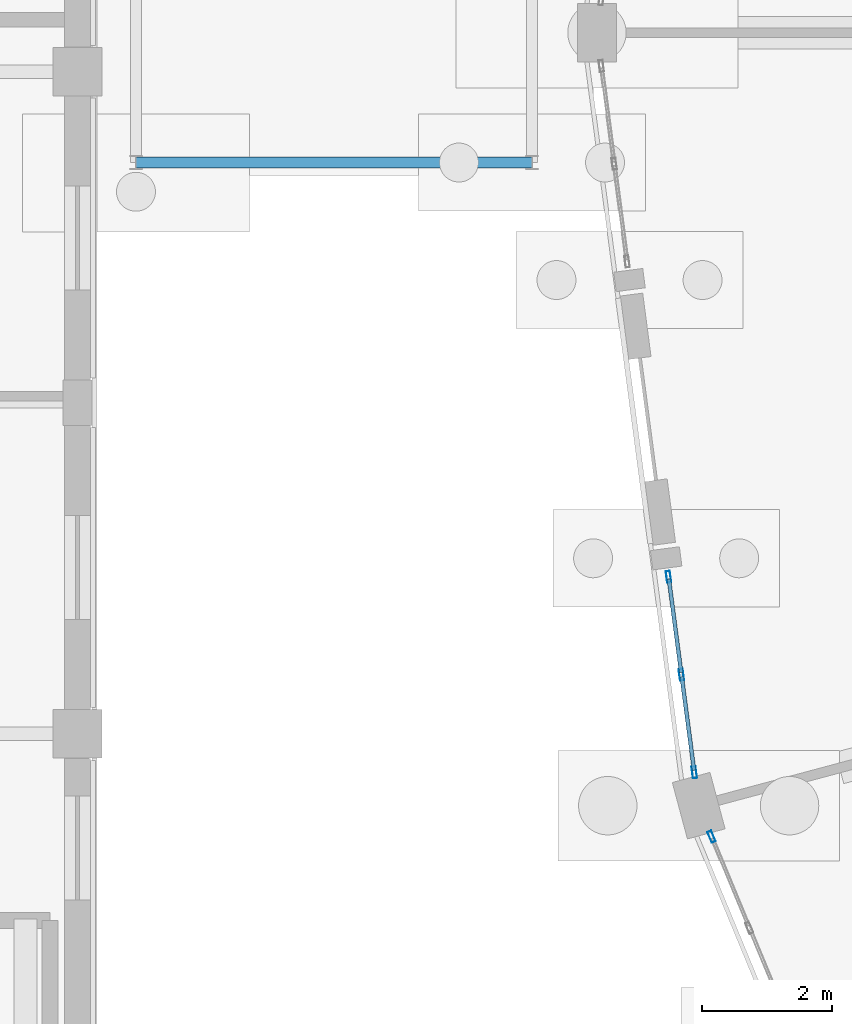
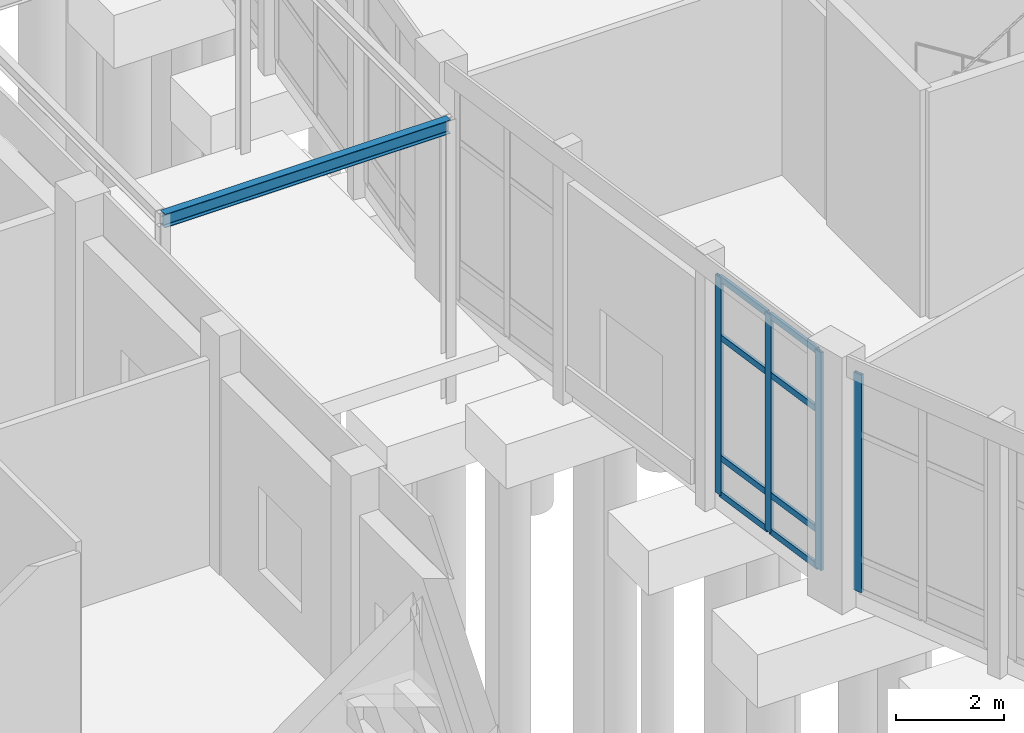
# One storey, part 45 of 137: 12 members, 1 beam, 2 elements without a shape of their own.
"""IFC4 building model written with IfcOpenShell, lengths in metres."""

from ifc_helpers import new_model, si_unit, direction, frame, origin, origin_2d, place, context, subcontext, project, spatial, hollow_rectangle, i_section, extrude, material, material_profile, profile_set, type_object, element, aggregate, save


model = new_model("IFC4")

# Units and contexts
model_context = context("Model", 3, precision=1e-05, world=origin(), true_north=direction((0.0, 1.0)))
body_context = subcontext(model_context, "Body", "Model", "MODEL_VIEW")
ifc_project = project(units=[si_unit("LENGTHUNIT", "METRE"), si_unit("AREAUNIT", "SQUARE_METRE"), si_unit("VOLUMEUNIT", "CUBIC_METRE"), si_unit("PLANEANGLEUNIT", "RADIAN"), si_unit("MASSUNIT", "GRAM", prefix="KILO")], contexts=[model_context])

# Site, building, storey
site_placement = place(None, origin())
site = spatial("IfcSite", under=ifc_project, at=site_placement, CompositionType="ELEMENT")
building_placement = place(site_placement, origin())
building = spatial("IfcBuilding", under=site, at=building_placement, Name="Vondelvale Polytechnic", CompositionType="ELEMENT")
storey_placement = place(building_placement, origin())
storey = spatial("IfcBuildingStorey", under=building, at=storey_placement, Name="L00", CompositionType="ELEMENT", Elevation=0.0)

# Beam
ifc_material_1 = material(Name="Steel 300PLUS (fy = 300 MPa)", Category="steel")
ifc_material_profile_1 = material_profile(ifc_material_1, i_section(OverallWidth=0.166015625, OverallDepth=0.306884765625, WebThickness=0.006591796875, FlangeThickness=0.01171875, FilletRadius=0.011474609375, at=origin_2d()), Name="310UB46.2")
ifc_profile_set_1 = profile_set([ifc_material_profile_1], Name="Steel 300PLUS (fy = 300 MPa)")
beam_type = type_object("IfcBeamType", Name="BM-UB310H", PredefinedType="BEAM", material=ifc_profile_set_1)
beam_placement = place(storey_placement, frame((48.89990234375, 70.0, 5.196533203125), z_axis=(1.0, 0.0, 0.0), x_axis=(0.0, 1.0, 0.0)))
element("IfcBeam", 1, at=beam_placement, inside=storey, type_object=beam_type, Name="L00 LC B-16", PredefinedType="BEAM", context=body_context, shape_type="SweptSolid", body=[
    extrude(i_section(OverallWidth=0.166015625, OverallDepth=0.306884765625, WebThickness=0.006591796875, FlangeThickness=0.01171875, FilletRadius=0.011474609375, at=origin_2d()), origin(), (0.0, 0.0, 1.0), 6.10009765625),
])

# Curtain wall, members
ifc_material_2 = material(Name="Glulam GL18 structural Tasmanian oak (fb = 42 MPa)", Category="wood")
curtain_wall_type = type_object("IfcCurtainWallType", Name="CW-RING-OUTER", PredefinedType="NOTDEFINED", material=ifc_material_2)
curtain_wall_1_placement = place(storey_placement, origin())
curtain_wall_1 = element("IfcCurtainWall", 2, at=curtain_wall_1_placement, inside=storey, type_object=curtain_wall_type, Name="L00 architectural curtain wall CW-04-258", PredefinedType="NOTDEFINED")
ifc_material_3 = material(Name="Anodised extruded aluminium 6063-T6", Category="aluminium")
ifc_material_profile_2 = material_profile(ifc_material_3, hollow_rectangle(XDim=0.06494140625, YDim=0.179931640625, WallThickness=0.00390625, at=origin_2d()), Name="CW-MUL-180x65")
ifc_profile_set_2 = profile_set([ifc_material_profile_2], Name="Anodised extruded aluminium 6063-T6")
member_type_1 = type_object("IfcMemberType", Name="CW-MUL-65x180", PredefinedType="MULLION", material=ifc_profile_set_2)
member_1_placement = place(storey_placement, frame((57.103271484375, 63.619140625, 0.0), z_axis=(0.0, 0.0, 1.0), x_axis=(0.991445190781, 0.130523690099, 0.0)))
member_1 = element("IfcMember", 3, at=member_1_placement, type_object=member_type_1, Name="CW-04-258 mullion 1", PredefinedType="MULLION", context=body_context, shape_type="SweptSolid", body=[
    extrude(hollow_rectangle(XDim=0.06494140625, YDim=0.179931640625, WallThickness=0.00390625, at=origin_2d()), origin(), (0.0, 0.0, 1.0), 4.919921875),
])
member_2_placement = place(storey_placement, frame((57.3017578125, 62.11279296875, 0.0), z_axis=(0.0, 0.0, 1.0), x_axis=(0.991445190781, 0.130523690099, 0.0)))
member_2 = element("IfcMember", 4, at=member_2_placement, type_object=member_type_1, Name="CW-04-258 mullion 2", PredefinedType="MULLION", context=body_context, shape_type="SweptSolid", body=[
    extrude(hollow_rectangle(XDim=0.06494140625, YDim=0.179931640625, WallThickness=0.00390625, at=origin_2d()), origin(), (0.0, 0.0, 1.0), 4.919921875),
])
member_3_placement = place(storey_placement, frame((57.5, 60.6064453125, 0.0), z_axis=(0.0, 0.0, 1.0), x_axis=(0.991445190781, 0.130523690099, 0.0)))
member_3 = element("IfcMember", 5, at=member_3_placement, type_object=member_type_1, Name="CW-04-258 mullion 3", PredefinedType="MULLION", context=body_context, shape_type="SweptSolid", body=[
    extrude(hollow_rectangle(XDim=0.06494140625, YDim=0.179931640625, WallThickness=0.00390625, at=origin_2d()), origin(), (0.0, 0.0, 1.0), 4.919921875),
])

# Curtain wall, member
curtain_wall_2_placement = place(storey_placement, origin())
curtain_wall_2 = element("IfcCurtainWall", 6, at=curtain_wall_2_placement, inside=storey, type_object=curtain_wall_type, Name="L00 architectural curtain wall CW-04-276", PredefinedType="NOTDEFINED")
member_4_placement = place(storey_placement, frame((57.76513671875, 59.6171875, 0.0), z_axis=(0.0, 0.0, 1.0), x_axis=(0.92388135159, 0.382679040691, 0.0)))
member_4 = element("IfcMember", 7, at=member_4_placement, type_object=member_type_1, Name="CW-04-276 mullion 1", PredefinedType="MULLION", context=body_context, shape_type="SweptSolid", body=[
    extrude(hollow_rectangle(XDim=0.06494140625, YDim=0.179931640625, WallThickness=0.00390625, at=origin_2d()), origin(), (0.0, 0.0, 1.0), 4.919921875),
])
aggregate(curtain_wall_2, [member_4])

# Member
ifc_material_profile_3 = material_profile(ifc_material_3, hollow_rectangle(XDim=0.06005859375, YDim=0.139892578125, WallThickness=0.00341796875, at=origin_2d()), Name="CW-TRN-140x60")
ifc_profile_set_3 = profile_set([ifc_material_profile_3], Name="Anodised extruded aluminium 6063-T6")
member_type_2 = type_object("IfcMemberType", Name="CW-TRN-60x140", PredefinedType="USERDEFINED", material=ifc_profile_set_3)
member_5_placement = place(storey_placement, frame((57.107666015625, 63.5869140625, 0.030029296875), z_axis=(0.130437142462, -0.991456580928, 0.0), x_axis=(0.991456580928, 0.130437142462, 0.0)))
member_5 = element("IfcMember", 8, at=member_5_placement, type_object=member_type_2, Name="CW-04-258 transom 1.1", ObjectType="TRANSOM", PredefinedType="USERDEFINED", context=body_context, shape_type="SweptSolid", body=[
    extrude(hollow_rectangle(XDim=0.06005859375, YDim=0.139892578125, WallThickness=0.00341796875, at=origin_2d()), origin(), (0.0, 0.0, 1.0), 1.454345703125),
])

member_6_placement = place(storey_placement, frame((57.107666015625, 63.5869140625, 0.85009765625), z_axis=(0.130437142462, -0.991456580928, 0.0), x_axis=(0.991456580928, 0.130437142462, 0.0)))
member_6 = element("IfcMember", 9, at=member_6_placement, type_object=member_type_2, Name="CW-04-258 transom 1.2", ObjectType="TRANSOM", PredefinedType="USERDEFINED", context=body_context, shape_type="SweptSolid", body=[
    extrude(hollow_rectangle(XDim=0.06005859375, YDim=0.139892578125, WallThickness=0.00341796875, at=origin_2d()), origin(), (0.0, 0.0, 1.0), 1.454345703125),
])

member_7_placement = place(storey_placement, frame((57.107666015625, 63.5869140625, 3.570068359375), z_axis=(0.130437142462, -0.991456580928, 0.0), x_axis=(0.991456580928, 0.130437142462, 0.0)))
member_7 = element("IfcMember", 10, at=member_7_placement, type_object=member_type_2, Name="CW-04-258 transom 1.3", ObjectType="TRANSOM", PredefinedType="USERDEFINED", context=body_context, shape_type="SweptSolid", body=[
    extrude(hollow_rectangle(XDim=0.06005859375, YDim=0.139892578125, WallThickness=0.00341796875, at=origin_2d()), origin(), (0.0, 0.0, 1.0), 1.454345703125),
])

member_8_placement = place(storey_placement, frame((57.107666015625, 63.5869140625, 4.889892578125), z_axis=(0.130437142462, -0.991456580928, 0.0), x_axis=(0.991456580928, 0.130437142462, 0.0)))
member_8 = element("IfcMember", 11, at=member_8_placement, type_object=member_type_2, Name="CW-04-258 transom 1.4", ObjectType="TRANSOM", PredefinedType="USERDEFINED", context=body_context, shape_type="SweptSolid", body=[
    extrude(hollow_rectangle(XDim=0.06005859375, YDim=0.139892578125, WallThickness=0.00341796875, at=origin_2d()), origin(), (0.0, 0.0, 1.0), 1.454345703125),
])

member_9_placement = place(storey_placement, frame((57.305908203125, 62.08056640625, 0.030029296875), z_axis=(0.130437142462, -0.991456580928, 0.0), x_axis=(0.991456580928, 0.130437142462, 0.0)))
member_9 = element("IfcMember", 12, at=member_9_placement, type_object=member_type_2, Name="CW-04-258 transom 2.1", ObjectType="TRANSOM", PredefinedType="USERDEFINED", context=body_context, shape_type="SweptSolid", body=[
    extrude(hollow_rectangle(XDim=0.06005859375, YDim=0.139892578125, WallThickness=0.00341796875, at=origin_2d()), origin(), (0.0, 0.0, 1.0), 1.454345703125),
])

member_10_placement = place(storey_placement, frame((57.305908203125, 62.08056640625, 0.85009765625), z_axis=(0.130437142462, -0.991456580928, 0.0), x_axis=(0.991456580928, 0.130437142462, 0.0)))
member_10 = element("IfcMember", 13, at=member_10_placement, type_object=member_type_2, Name="CW-04-258 transom 2.2", ObjectType="TRANSOM", PredefinedType="USERDEFINED", context=body_context, shape_type="SweptSolid", body=[
    extrude(hollow_rectangle(XDim=0.06005859375, YDim=0.139892578125, WallThickness=0.00341796875, at=origin_2d()), origin(), (0.0, 0.0, 1.0), 1.454345703125),
])

member_11_placement = place(storey_placement, frame((57.305908203125, 62.08056640625, 3.570068359375), z_axis=(0.130437142462, -0.991456580928, 0.0), x_axis=(0.991456580928, 0.130437142462, 0.0)))
member_11 = element("IfcMember", 14, at=member_11_placement, type_object=member_type_2, Name="CW-04-258 transom 2.3", ObjectType="TRANSOM", PredefinedType="USERDEFINED", context=body_context, shape_type="SweptSolid", body=[
    extrude(hollow_rectangle(XDim=0.06005859375, YDim=0.139892578125, WallThickness=0.00341796875, at=origin_2d()), origin(), (0.0, 0.0, 1.0), 1.454345703125),
])

member_12_placement = place(storey_placement, frame((57.305908203125, 62.08056640625, 4.889892578125), z_axis=(0.130437142462, -0.991456580928, 0.0), x_axis=(0.991456580928, 0.130437142462, 0.0)))
member_12 = element("IfcMember", 15, at=member_12_placement, type_object=member_type_2, Name="CW-04-258 transom 2.4", ObjectType="TRANSOM", PredefinedType="USERDEFINED", context=body_context, shape_type="SweptSolid", body=[
    extrude(hollow_rectangle(XDim=0.06005859375, YDim=0.139892578125, WallThickness=0.00341796875, at=origin_2d()), origin(), (0.0, 0.0, 1.0), 1.454345703125),
])

aggregate(curtain_wall_1, [member_1, member_2, member_3, member_5, member_6, member_7, member_8, member_9, member_10, member_11, member_12])

save(model, "model.ifc")
